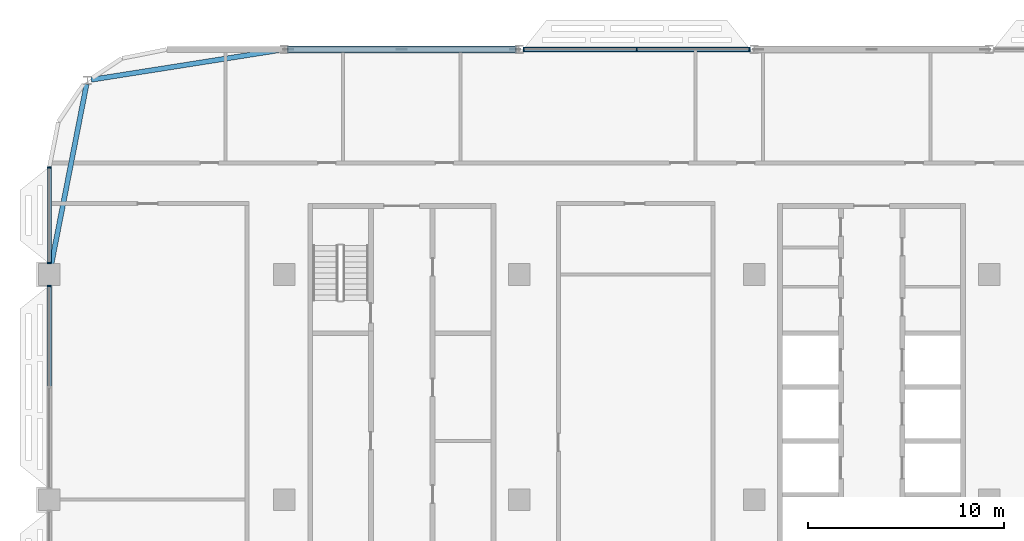
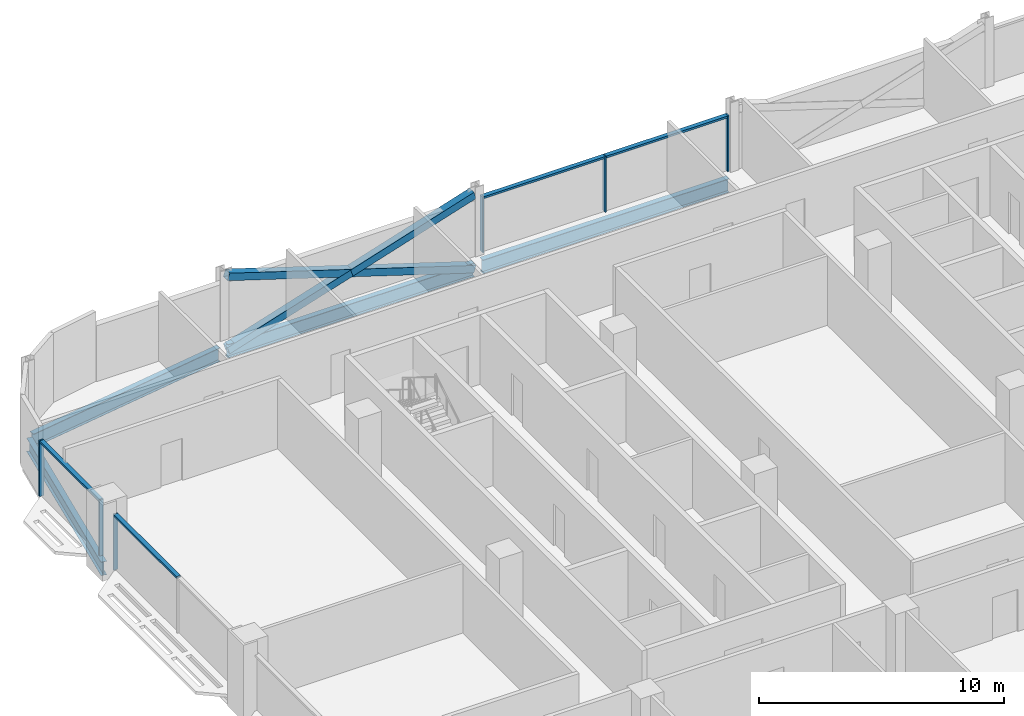
# One storey, part 7 of 30: 13 members, 4 beams, 3 elements without a shape of their own.
"""IFC4 building model written with IfcOpenShell, lengths in metres."""

from ifc_helpers import new_model, si_unit, direction, frame, origin, origin_2d, place, context, subcontext, project, spatial, rectangle, hollow_rectangle, i_section, extrude, material, material_profile, profile_set, type_object, element, aggregate, save


model = new_model("IFC4")

# Units and contexts
model_context = context("Model", 3, precision=1e-05, world=origin(), true_north=direction((0.0, 1.0)))
body_context = subcontext(model_context, "Body", "Model", "MODEL_VIEW")
ifc_project = project(units=[si_unit("LENGTHUNIT", "METRE"), si_unit("AREAUNIT", "SQUARE_METRE"), si_unit("VOLUMEUNIT", "CUBIC_METRE"), si_unit("PLANEANGLEUNIT", "RADIAN"), si_unit("MASSUNIT", "GRAM", prefix="KILO")], contexts=[model_context])

# Site, building, storey
site_placement = place(None, origin())
site = spatial("IfcSite", under=ifc_project, at=site_placement, CompositionType="ELEMENT")
building_placement = place(site_placement, origin())
building = spatial("IfcBuilding", under=site, at=building_placement, Name="Mahtab Terrace Research Tower", CompositionType="ELEMENT")
storey_placement = place(building_placement, frame((0.0, 0.0, 205.300048828125)))
storey = spatial("IfcBuildingStorey", under=building, at=storey_placement, Name="L49", CompositionType="ELEMENT", Elevation=205.300048828125)

# Members
ifc_material_1 = material(Name="Steel ASTM A500 Gr C", Category="steel")
ifc_material_profile_1 = material_profile(ifc_material_1, hollow_rectangle(XDim=0.355712890625, YDim=0.355712890625, WallThickness=0.015869140625, at=origin_2d()), Name="HSS14X14X5/8")
ifc_profile_set_1 = profile_set([ifc_material_profile_1], Name="Steel ASTM A500 Gr C")
member_type_1 = type_object("IfcMemberType", Name="HSS 14x14x5/8 brace XB141458", PredefinedType="BRACE", material=ifc_profile_set_1)
member_1_placement = place(storey_placement, frame((-18.20068359375, 23.0, -0.61572265625), z_axis=(-0.953337604941, 0.0, 0.301906295073), x_axis=(0.0, -1.0, 0.0)))
element("IfcMember", 1, at=member_1_placement, inside=storey, type_object=member_type_1, Name="Exoskeleton brace L49 07 a", PredefinedType="BRACE", context=body_context, shape_type="SweptSolid", body=[
    extrude(hollow_rectangle(XDim=0.355712890625, YDim=0.355712890625, WallThickness=0.015869140625, at=origin_2d()), origin(), (0.0, 0.0, 1.0), 12.166259765625),
])
for number, where, z_axis, x_axis, name in (
    (2, (-29.79931640625, 23.0, -0.61572265625), (0.953331829178, 0.0, 0.301924532749), (0.0, 1.0, 0.0), "Exoskeleton brace L49 07 b1"),
    (3, (-24.0, 23.0, 1.220947265625), (0.953343380425, 0.0, 0.301888057067), (0.0, 1.0, 0.0), "Exoskeleton brace L49 07 b2"),
):
    element("IfcMember", number, at=place(storey_placement, frame(where, z_axis=z_axis, x_axis=x_axis)), inside=storey, type_object=member_type_1, Name=name, PredefinedType="BRACE", context=body_context, shape_type="SweptSolid", body=[
        extrude(hollow_rectangle(XDim=0.355712890625, YDim=0.355712890625, WallThickness=0.015869140625, at=origin_2d()), origin(), (0.0, 0.0, 1.0), 6.083251953125),
    ])

# Curtain wall, members
ifc_material_2 = material(Name="Laboratory ribbon curtain wall")
curtain_wall_type = type_object("IfcCurtainWallType", Name="Laboratory ribbon curtain wall", PredefinedType="NOTDEFINED", material=ifc_material_2)
curtain_wall_1_placement = place(storey_placement, origin())
curtain_wall_1 = element("IfcCurtainWall", 4, at=curtain_wall_1_placement, inside=storey, type_object=curtain_wall_type, Name="EN.L49.3.8", PredefinedType="NOTDEFINED")
ifc_material_3 = material(Name="Natural anodised aluminium", Category="aluminium")
ifc_material_profile_2 = material_profile(ifc_material_3, rectangle(XDim=0.199951171875, YDim=0.06494140625, at=origin_2d()), Name="MULLION 65x200")
ifc_profile_set_2 = profile_set([ifc_material_profile_2], Name="Natural anodised aluminium")
member_type_2 = type_object("IfcMemberType", Name="Laboratory ribbon curtain wall mullion", PredefinedType="MULLION", material=ifc_profile_set_2)
member_2_placement = place(storey_placement, frame((-6.232421875, 23.0, 0.0), z_axis=(0.0, 0.0, 1.0), x_axis=(0.0, -1.0, 0.0)))
member_2 = element("IfcMember", 5, at=member_2_placement, type_object=member_type_2, Name="CWL-6 mullion 1", PredefinedType="MULLION", context=body_context, shape_type="SweptSolid", body=[
    extrude(rectangle(XDim=0.199951171875, YDim=0.06494140625, at=origin_2d()), origin(), (0.0, 0.0, 1.0), 2.78173828125),
])
member_3_placement = place(storey_placement, frame((-12.0, 23.0, 0.0), z_axis=(0.0, 0.0, 1.0), x_axis=(0.0, -1.0, 0.0)))
member_3 = element("IfcMember", 6, at=member_3_placement, type_object=member_type_2, Name="CWL-6 mullion 2", PredefinedType="MULLION", context=body_context, shape_type="SweptSolid", body=[
    extrude(rectangle(XDim=0.199951171875, YDim=0.06494140625, at=origin_2d()), origin(), (0.0, 0.0, 1.0), 2.78173828125),
])
member_4_placement = place(storey_placement, frame((-17.767578125, 23.0, 0.0), z_axis=(0.0, 0.0, 1.0), x_axis=(0.0, -1.0, 0.0)))
member_4 = element("IfcMember", 7, at=member_4_placement, type_object=member_type_2, Name="CWL-6 mullion 3", PredefinedType="MULLION", context=body_context, shape_type="SweptSolid", body=[
    extrude(rectangle(XDim=0.199951171875, YDim=0.06494140625, at=origin_2d()), origin(), (0.0, 0.0, 1.0), 2.78173828125),
])

curtain_wall_2_placement = place(storey_placement, origin())
curtain_wall_2 = element("IfcCurtainWall", 8, at=curtain_wall_2_placement, inside=storey, type_object=curtain_wall_type, Name="EN.L49.8.15", PredefinedType="NOTDEFINED")
member_5_placement = place(storey_placement, frame((-42.0, 16.967529296875, 0.0), z_axis=(0.0, 0.0, 1.0), x_axis=(1.0, 0.0, 0.0)))
member_5 = element("IfcMember", 9, at=member_5_placement, type_object=member_type_2, Name="CWL-6 mullion 1", PredefinedType="MULLION", context=body_context, shape_type="SweptSolid", body=[
    extrude(rectangle(XDim=0.199951171875, YDim=0.06494140625, at=origin_2d()), origin(), (0.0, 0.0, 1.0), 2.78173828125),
])
member_6_placement = place(storey_placement, frame((-42.0, 12.08251953125, 0.0), z_axis=(0.0, 0.0, 1.0), x_axis=(1.0, 0.0, 0.0)))
member_6 = element("IfcMember", 10, at=member_6_placement, type_object=member_type_2, Name="CWL-6 mullion 2", PredefinedType="MULLION", context=body_context, shape_type="SweptSolid", body=[
    extrude(rectangle(XDim=0.199951171875, YDim=0.06494140625, at=origin_2d()), origin(), (0.0, 0.0, 1.0), 2.78173828125),
])

# Curtain wall, member
curtain_wall_3_placement = place(storey_placement, origin())
curtain_wall_3 = element("IfcCurtainWall", 11, at=curtain_wall_3_placement, inside=storey, type_object=curtain_wall_type, Name="EN.L49.8.16", PredefinedType="NOTDEFINED")
member_7_placement = place(storey_placement, frame((-42.0, 10.91748046875, 0.0), z_axis=(0.0, 0.0, 1.0), x_axis=(1.0, 0.0, 0.0)))
member_7 = element("IfcMember", 12, at=member_7_placement, type_object=member_type_2, Name="CWL-6 mullion 1", PredefinedType="MULLION", context=body_context, shape_type="SweptSolid", body=[
    extrude(rectangle(XDim=0.199951171875, YDim=0.06494140625, at=origin_2d()), origin(), (0.0, 0.0, 1.0), 2.78173828125),
])

# Member
ifc_material_profile_3 = material_profile(ifc_material_3, rectangle(XDim=0.199951171875, YDim=0.10009765625, at=origin_2d()), Name="TRANSOM 100x200")
ifc_profile_set_3 = profile_set([ifc_material_profile_3], Name="Natural anodised aluminium")
member_type_3 = type_object("IfcMemberType", Name="Laboratory ribbon curtain wall transom", PredefinedType="USERDEFINED", material=ifc_profile_set_3)
member_8_placement = place(storey_placement, frame((-6.264892578125, 23.0, 2.731689453125), z_axis=(-1.0, 0.0, 0.0), x_axis=(0.0, -1.0, 0.0)))
member_8 = element("IfcMember", 13, at=member_8_placement, type_object=member_type_3, Name="CWL-6 transom 1", ObjectType="TRANSOM", PredefinedType="USERDEFINED", context=body_context, shape_type="SweptSolid", body=[
    extrude(rectangle(XDim=0.199951171875, YDim=0.10009765625, at=origin_2d()), origin(), (0.0, 0.0, 1.0), 5.70263671875),
])

member_9_placement = place(storey_placement, frame((-12.032470703125, 23.0, 2.731689453125), z_axis=(-1.0, 0.0, 0.0), x_axis=(0.0, -1.0, 0.0)))
member_9 = element("IfcMember", 14, at=member_9_placement, type_object=member_type_3, Name="CWL-6 transom 2", ObjectType="TRANSOM", PredefinedType="USERDEFINED", context=body_context, shape_type="SweptSolid", body=[
    extrude(rectangle(XDim=0.199951171875, YDim=0.10009765625, at=origin_2d()), origin(), (0.0, 0.0, 1.0), 5.70263671875),
])

aggregate(curtain_wall_1, [member_2, member_3, member_4, member_8, member_9])

member_10_placement = place(storey_placement, frame((-42.0, 16.93505859375, 2.731689453125), z_axis=(0.0, -1.0, 0.0), x_axis=(1.0, 0.0, 0.0)))
member_10 = element("IfcMember", 15, at=member_10_placement, type_object=member_type_3, Name="CWL-6 transom 1", ObjectType="TRANSOM", PredefinedType="USERDEFINED", context=body_context, shape_type="SweptSolid", body=[
    extrude(rectangle(XDim=0.199951171875, YDim=0.10009765625, at=origin_2d()), origin(), (0.0, 0.0, 1.0), 4.820068359375),
])

aggregate(curtain_wall_2, [member_5, member_6, member_10])

member_11_placement = place(storey_placement, frame((-42.0, 10.885009765625, 2.731689453125), z_axis=(0.0, -1.0, 0.0), x_axis=(1.0, 0.0, 0.0)))
member_11 = element("IfcMember", 16, at=member_11_placement, type_object=member_type_3, Name="CWL-6 transom 1", ObjectType="TRANSOM", PredefinedType="USERDEFINED", context=body_context, shape_type="SweptSolid", body=[
    extrude(rectangle(XDim=0.199951171875, YDim=0.10009765625, at=origin_2d()), origin(), (0.0, 0.0, 1.0), 5.1025390625),
])

aggregate(curtain_wall_3, [member_7, member_11])

# Beams
ifc_material_4 = material(Name="Steel ASTM A992 Gr 50", Category="steel")
ifc_material_profile_4 = material_profile(ifc_material_4, i_section(OverallWidth=0.25390625, OverallDepth=0.67822265625, WebThickness=0.01171875, FlangeThickness=0.016357421875, at=origin_2d()), Name="W27X84")
ifc_profile_set_4 = profile_set([ifc_material_profile_4], Name="Steel ASTM A992 Gr 50")
beam_type = type_object("IfcBeamType", Name="W27x84 beam BS2784", PredefinedType="BEAM", material=ifc_profile_set_4)
for number, where, z_axis, x_axis, name in (
    (17, (-6.20068359375, 23.0, -0.67919921875), (-1.0, 0.0, 0.0), (0.0, -1.0, 0.0), "Spandrel beam L49 06"),
    (18, (-18.20068359375, 23.0, -0.67919921875), (-1.0, 0.0, 0.0), (0.0, -1.0, 0.0), "Spandrel beam L49 07"),
):
    element("IfcBeam", number, at=place(storey_placement, frame(where, z_axis=z_axis, x_axis=x_axis)), inside=storey, type_object=beam_type, Name=name, PredefinedType="BEAM", context=body_context, shape_type="SweptSolid", body=[
        extrude(i_section(OverallWidth=0.25390625, OverallDepth=0.67822265625, WebThickness=0.01171875, FlangeThickness=0.016357421875, at=origin_2d()), origin(), (0.0, 0.0, 1.0), 11.5986328125),
    ])
beam_1_placement = place(storey_placement, frame((-30.20068359375, 22.968505859375, -0.67919921875), z_axis=(-0.987831689273, -0.155526697604, 0.0), x_axis=(0.155526697604, -0.987831689273, 0.0)))
element("IfcBeam", 19, at=beam_1_placement, inside=storey, type_object=beam_type, Name="Spandrel beam L49 08", PredefinedType="BEAM", context=body_context, shape_type="SweptSolid", body=[
    extrude(i_section(OverallWidth=0.25390625, OverallDepth=0.67822265625, WebThickness=0.01171875, FlangeThickness=0.016357421875, at=origin_2d()), origin(), (0.0, 0.0, 1.0), 9.779541015625),
])
beam_2_placement = place(storey_placement, frame((-40.10107421875, 21.216552734375, -0.67919921875), z_axis=(-0.191811291145, -0.981431825747, 0.0), x_axis=(0.981431825747, -0.191811291145, 0.0)))
element("IfcBeam", 20, at=beam_2_placement, inside=storey, type_object=beam_type, Name="Spandrel beam L49 09", PredefinedType="BEAM", context=body_context, shape_type="SweptSolid", body=[
    extrude(i_section(OverallWidth=0.25390625, OverallDepth=0.67822265625, WebThickness=0.01171875, FlangeThickness=0.016357421875, at=origin_2d()), origin(), (0.0, 0.0, 1.0), 9.33984375),
])

save(model, "model.ifc")
